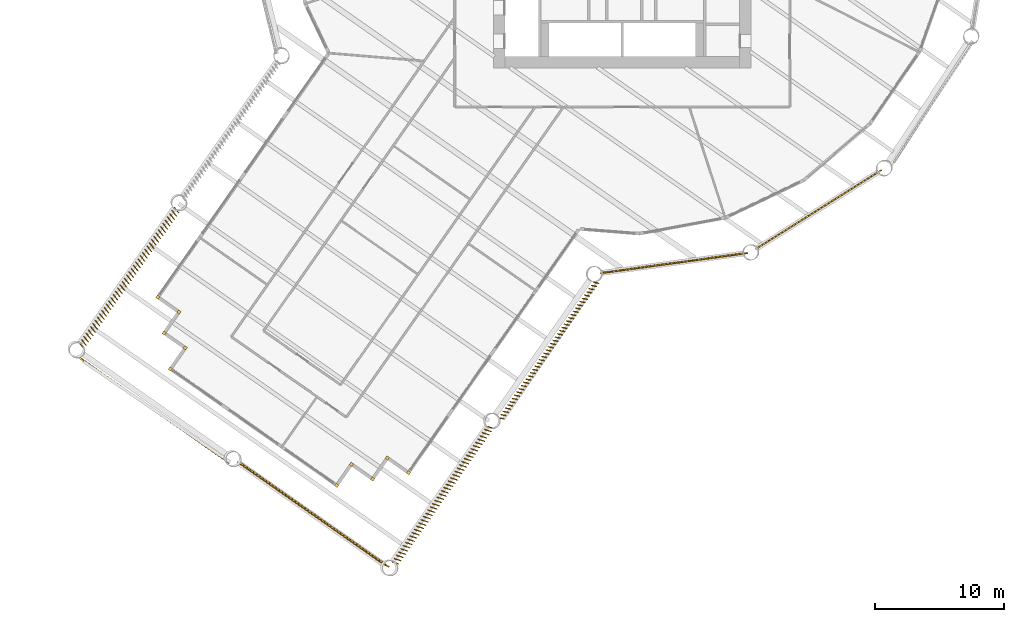
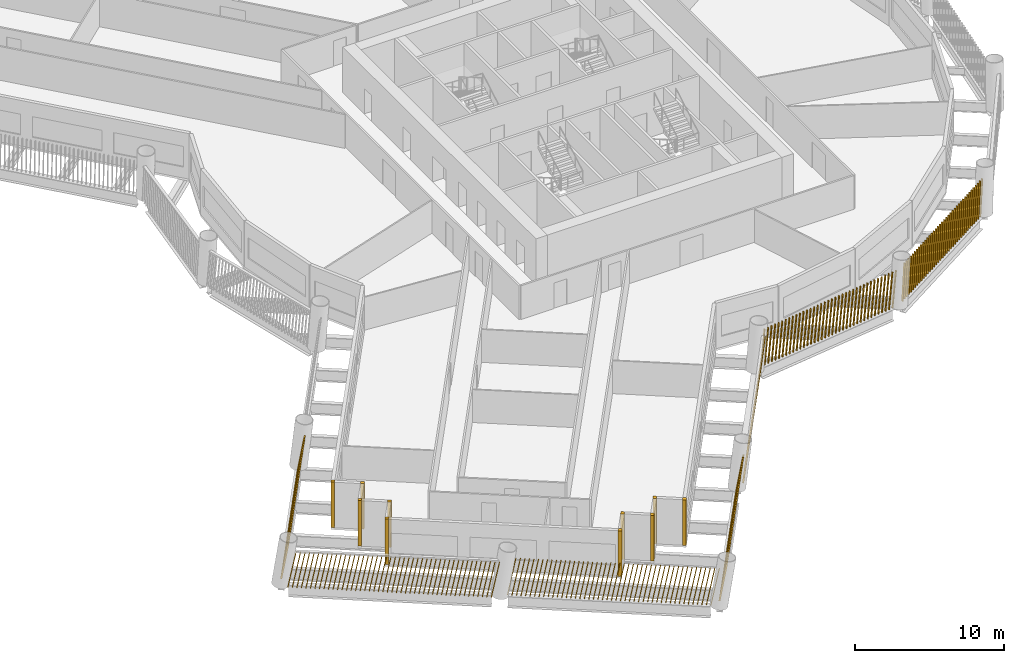
# One storey, part 11 of 15: 17 shading devices.
"""IFC4 building model written with IfcOpenShell, lengths in metres."""

from ifc_helpers import new_model, si_unit, direction, frame, frame_2d, origin, origin_2d, place, context, subcontext, project, spatial, rectangle, composite_profile, extrude, material, type_object, element, save


model = new_model("IFC4")

# Units and contexts
model_context = context("Model", 3, precision=1e-05, world=origin(), true_north=direction((0.0, 1.0)))
body_context = subcontext(model_context, "Body", "Model", "MODEL_VIEW")
ifc_project = project(units=[si_unit("LENGTHUNIT", "METRE"), si_unit("AREAUNIT", "SQUARE_METRE"), si_unit("VOLUMEUNIT", "CUBIC_METRE"), si_unit("PLANEANGLEUNIT", "RADIAN"), si_unit("MASSUNIT", "GRAM", prefix="KILO")], contexts=[model_context])

# Site, building, storey
site_placement = place(None, origin())
site = spatial("IfcSite", under=ifc_project, at=site_placement, CompositionType="ELEMENT")
building_placement = place(site_placement, origin())
building = spatial("IfcBuilding", under=site, at=building_placement, Name="Tarsis Ring Headquarters", CompositionType="ELEMENT")
storey_placement = place(building_placement, frame((0.0, 0.0, 51.699951171875)))
storey = spatial("IfcBuildingStorey", under=building, at=storey_placement, Name="L10", CompositionType="ELEMENT", Elevation=51.699951171875)

# Shading devices
ifc_material = material(Name="Terracotta baguette", Category="masonry")
shading_device_type_1 = type_object("IfcShadingDeviceType", Name="Terracotta baguette screen", PredefinedType="USERDEFINED", material=ifc_material)
shading_device_1_placement = place(storey_placement, frame((-34.72119140625, -23.783935546875, 0.0), z_axis=(0.0, 0.0, 1.0), x_axis=(-0.573580335686, -0.819157189623, 0.0)))
element("IfcShadingDevice", 1, at=shading_device_1_placement, inside=storey, type_object=shading_device_type_1, Name="Baguette screen L10-02", ObjectType="Terracotta baguette screen", PredefinedType="USERDEFINED", context=body_context, shape_type="SweptSolid", body=[
    extrude(composite_profile([rectangle(XDim=0.06005859375, YDim=0.1201171875, at=frame_2d((0.030029296875, 0.0))), rectangle(XDim=0.06005859375, YDim=0.1201171875, at=frame_2d((0.335693359375, 0.0))), rectangle(XDim=0.06005859375, YDim=0.1201171875, at=frame_2d((0.6416015625, 0.0))), rectangle(XDim=0.06005859375, YDim=0.1201171875, at=frame_2d((0.947265625, 0.0))), rectangle(XDim=0.06005859375, YDim=0.1201171875, at=frame_2d((1.253173828125, 0.0))), rectangle(XDim=0.06005859375, YDim=0.1201171875, at=frame_2d((1.558837890625, 0.0))), rectangle(XDim=0.06005859375, YDim=0.1201171875, at=frame_2d((1.864501953125, 0.0))), rectangle(XDim=0.06005859375, YDim=0.1201171875, at=frame_2d((2.17041015625, 0.0))), rectangle(XDim=0.06005859375, YDim=0.1201171875, at=frame_2d((2.47607421875, 0.0))), rectangle(XDim=0.06005859375, YDim=0.1201171875, at=frame_2d((2.781982421875, 0.0))), rectangle(XDim=0.06005859375, YDim=0.1201171875, at=frame_2d((3.087646484375, 0.0))), rectangle(XDim=0.06005859375, YDim=0.1201171875, at=frame_2d((3.393310546875, 0.0))), rectangle(XDim=0.06005859375, YDim=0.1201171875, at=frame_2d((3.69921875, 0.0))), rectangle(XDim=0.06005859375, YDim=0.1201171875, at=frame_2d((4.0048828125, 0.0))), rectangle(XDim=0.06005859375, YDim=0.1201171875, at=frame_2d((4.310791015625, 0.0))), rectangle(XDim=0.06005859375, YDim=0.1201171875, at=frame_2d((4.616455078125, 0.0))), rectangle(XDim=0.06005859375, YDim=0.1201171875, at=frame_2d((4.922119140625, 0.0))), rectangle(XDim=0.06005859375, YDim=0.1201171875, at=frame_2d((5.22802734375, 0.0))), rectangle(XDim=0.06005859375, YDim=0.1201171875, at=frame_2d((5.53369140625, 0.0))), rectangle(XDim=0.06005859375, YDim=0.1201171875, at=frame_2d((5.839599609375, 0.0))), rectangle(XDim=0.06005859375, YDim=0.1201171875, at=frame_2d((6.145263671875, 0.0))), rectangle(XDim=0.06005859375, YDim=0.1201171875, at=frame_2d((6.451171875, 0.0))), rectangle(XDim=0.06005859375, YDim=0.1201171875, at=frame_2d((6.7568359375, 0.0))), rectangle(XDim=0.06005859375, YDim=0.1201171875, at=frame_2d((7.0625, 0.0))), rectangle(XDim=0.06005859375, YDim=0.1201171875, at=frame_2d((7.368408203125, 0.0))), rectangle(XDim=0.06005859375, YDim=0.1201171875, at=frame_2d((7.674072265625, 0.0))), rectangle(XDim=0.06005859375, YDim=0.1201171875, at=frame_2d((7.97998046875, 0.0))), rectangle(XDim=0.06005859375, YDim=0.1201171875, at=frame_2d((8.28564453125, 0.0))), rectangle(XDim=0.06005859375, YDim=0.1201171875, at=frame_2d((8.59130859375, 0.0))), rectangle(XDim=0.06005859375, YDim=0.1201171875, at=frame_2d((8.897216796875, 0.0))), rectangle(XDim=0.06005859375, YDim=0.1201171875, at=frame_2d((9.202880859375, 0.0))), rectangle(XDim=0.06005859375, YDim=0.1201171875, at=frame_2d((9.5087890625, 0.0))), rectangle(XDim=0.06005859375, YDim=0.1201171875, at=frame_2d((9.814453125, 0.0))), rectangle(XDim=0.06005859375, YDim=0.1201171875, at=frame_2d((10.1201171875, 0.0))), rectangle(XDim=0.06005859375, YDim=0.1201171875, at=frame_2d((10.426025390625, 0.0))), rectangle(XDim=0.06005859375, YDim=0.1201171875, at=frame_2d((10.731689453125, 0.0))), rectangle(XDim=0.06005859375, YDim=0.1201171875, at=frame_2d((11.03759765625, 0.0))), rectangle(XDim=0.06005859375, YDim=0.1201171875, at=frame_2d((11.34326171875, 0.0))), rectangle(XDim=0.06005859375, YDim=0.1201171875, at=frame_2d((11.64892578125, 0.0))), rectangle(XDim=0.06005859375, YDim=0.1201171875, at=frame_2d((11.954833984375, 0.0))), rectangle(XDim=0.06005859375, YDim=0.1201171875, at=frame_2d((12.260498046875, 0.0))), rectangle(XDim=0.06005859375, YDim=0.1201171875, at=frame_2d((12.56640625, 0.0))), rectangle(XDim=0.06005859375, YDim=0.1201171875, at=frame_2d((12.8720703125, 0.0)))]), origin(), (0.0509005378, 0.160555716495, 0.98571344576), 2.995361328125),
])
shading_device_2_placement = place(storey_placement, frame((-42.2138671875, -35.356201171875, 0.0), z_axis=(0.0, 0.0, 1.0), x_axis=(0.819145172133, -0.573576761136, 0.0)))
element("IfcShadingDevice", 2, at=shading_device_2_placement, inside=storey, type_object=shading_device_type_1, Name="Baguette screen L10-03", ObjectType="Terracotta baguette screen", PredefinedType="USERDEFINED", context=body_context, shape_type="SweptSolid", body=[
    extrude(composite_profile([rectangle(XDim=0.06005859375, YDim=0.1201171875, at=frame_2d((0.030029296875, 0.0))), rectangle(XDim=0.06005859375, YDim=0.1201171875, at=frame_2d((0.33544921875, 0.0))), rectangle(XDim=0.06005859375, YDim=0.1201171875, at=frame_2d((0.640625, 0.0))), rectangle(XDim=0.06005859375, YDim=0.1201171875, at=frame_2d((0.946044921875, 0.0))), rectangle(XDim=0.06005859375, YDim=0.1201171875, at=frame_2d((1.25146484375, 0.0))), rectangle(XDim=0.06005859375, YDim=0.1201171875, at=frame_2d((1.556640625, 0.0))), rectangle(XDim=0.06005859375, YDim=0.1201171875, at=frame_2d((1.862060546875, 0.0))), rectangle(XDim=0.06005859375, YDim=0.1201171875, at=frame_2d((2.16748046875, 0.0))), rectangle(XDim=0.06005859375, YDim=0.1201171875, at=frame_2d((2.47265625, 0.0))), rectangle(XDim=0.06005859375, YDim=0.1201171875, at=frame_2d((2.778076171875, 0.0))), rectangle(XDim=0.06005859375, YDim=0.1201171875, at=frame_2d((3.08349609375, 0.0))), rectangle(XDim=0.06005859375, YDim=0.1201171875, at=frame_2d((3.388671875, 0.0))), rectangle(XDim=0.06005859375, YDim=0.1201171875, at=frame_2d((3.694091796875, 0.0))), rectangle(XDim=0.06005859375, YDim=0.1201171875, at=frame_2d((3.99951171875, 0.0))), rectangle(XDim=0.06005859375, YDim=0.1201171875, at=frame_2d((4.3046875, 0.0))), rectangle(XDim=0.06005859375, YDim=0.1201171875, at=frame_2d((4.610107421875, 0.0))), rectangle(XDim=0.06005859375, YDim=0.1201171875, at=frame_2d((4.91552734375, 0.0))), rectangle(XDim=0.06005859375, YDim=0.1201171875, at=frame_2d((5.220703125, 0.0))), rectangle(XDim=0.06005859375, YDim=0.1201171875, at=frame_2d((5.526123046875, 0.0))), rectangle(XDim=0.06005859375, YDim=0.1201171875, at=frame_2d((5.83154296875, 0.0))), rectangle(XDim=0.06005859375, YDim=0.1201171875, at=frame_2d((6.13671875, 0.0))), rectangle(XDim=0.06005859375, YDim=0.1201171875, at=frame_2d((6.442138671875, 0.0))), rectangle(XDim=0.06005859375, YDim=0.1201171875, at=frame_2d((6.74755859375, 0.0))), rectangle(XDim=0.06005859375, YDim=0.1201171875, at=frame_2d((7.052734375, 0.0))), rectangle(XDim=0.06005859375, YDim=0.1201171875, at=frame_2d((7.358154296875, 0.0))), rectangle(XDim=0.06005859375, YDim=0.1201171875, at=frame_2d((7.66357421875, 0.0))), rectangle(XDim=0.06005859375, YDim=0.1201171875, at=frame_2d((7.96875, 0.0))), rectangle(XDim=0.06005859375, YDim=0.1201171875, at=frame_2d((8.274169921875, 0.0))), rectangle(XDim=0.06005859375, YDim=0.1201171875, at=frame_2d((8.57958984375, 0.0))), rectangle(XDim=0.06005859375, YDim=0.1201171875, at=frame_2d((8.884765625, 0.0))), rectangle(XDim=0.06005859375, YDim=0.1201171875, at=frame_2d((9.190185546875, 0.0))), rectangle(XDim=0.06005859375, YDim=0.1201171875, at=frame_2d((9.49560546875, 0.0))), rectangle(XDim=0.06005859375, YDim=0.1201171875, at=frame_2d((9.80078125, 0.0))), rectangle(XDim=0.06005859375, YDim=0.1201171875, at=frame_2d((10.106201171875, 0.0))), rectangle(XDim=0.06005859375, YDim=0.1201171875, at=frame_2d((10.41162109375, 0.0))), rectangle(XDim=0.06005859375, YDim=0.1201171875, at=frame_2d((10.716796875, 0.0))), rectangle(XDim=0.06005859375, YDim=0.1201171875, at=frame_2d((11.022216796875, 0.0))), rectangle(XDim=0.06005859375, YDim=0.1201171875, at=frame_2d((11.32763671875, 0.0))), rectangle(XDim=0.06005859375, YDim=0.1201171875, at=frame_2d((11.6328125, 0.0))), rectangle(XDim=0.06005859375, YDim=0.1201171875, at=frame_2d((11.938232421875, 0.0))), rectangle(XDim=0.06005859375, YDim=0.1201171875, at=frame_2d((12.24365234375, 0.0))), rectangle(XDim=0.06005859375, YDim=0.1201171875, at=frame_2d((12.548828125, 0.0))), rectangle(XDim=0.06005859375, YDim=0.1201171875, at=frame_2d((12.854248046875, 0.0))), rectangle(XDim=0.06005859375, YDim=0.1201171875, at=frame_2d((13.15966796875, 0.0))), rectangle(XDim=0.06005859375, YDim=0.1201171875, at=frame_2d((13.46484375, 0.0))), rectangle(XDim=0.06005859375, YDim=0.1201171875, at=frame_2d((13.770263671875, 0.0)))]), origin(), (0.185395423633, -0.024810532411, 0.982350738981), 3.005615234375),
])
shading_device_3_placement = place(storey_placement, frame((-29.875244140625, -43.5380859375, 0.0), z_axis=(0.0, 0.0, 1.0), x_axis=(0.819156464511, -0.573579364518, 0.0)))
element("IfcShadingDevice", 3, at=shading_device_3_placement, inside=storey, type_object=shading_device_type_1, Name="Baguette screen L10-04", ObjectType="Terracotta baguette screen", PredefinedType="USERDEFINED", context=body_context, shape_type="SweptSolid", body=[
    extrude(composite_profile([rectangle(XDim=0.06005859375, YDim=0.1201171875, at=frame_2d((0.030029296875, 0.0))), rectangle(XDim=0.06005859375, YDim=0.1201171875, at=frame_2d((0.33544921875, 0.0))), rectangle(XDim=0.06005859375, YDim=0.1201171875, at=frame_2d((0.640625, 0.0))), rectangle(XDim=0.06005859375, YDim=0.1201171875, at=frame_2d((0.946044921875, 0.0))), rectangle(XDim=0.06005859375, YDim=0.1201171875, at=frame_2d((1.25146484375, 0.0))), rectangle(XDim=0.06005859375, YDim=0.1201171875, at=frame_2d((1.556640625, 0.0))), rectangle(XDim=0.06005859375, YDim=0.1201171875, at=frame_2d((1.862060546875, 0.0))), rectangle(XDim=0.06005859375, YDim=0.1201171875, at=frame_2d((2.16748046875, 0.0))), rectangle(XDim=0.06005859375, YDim=0.1201171875, at=frame_2d((2.47265625, 0.0))), rectangle(XDim=0.06005859375, YDim=0.1201171875, at=frame_2d((2.778076171875, 0.0))), rectangle(XDim=0.06005859375, YDim=0.1201171875, at=frame_2d((3.08349609375, 0.0))), rectangle(XDim=0.06005859375, YDim=0.1201171875, at=frame_2d((3.388671875, 0.0))), rectangle(XDim=0.06005859375, YDim=0.1201171875, at=frame_2d((3.694091796875, 0.0))), rectangle(XDim=0.06005859375, YDim=0.1201171875, at=frame_2d((3.99951171875, 0.0))), rectangle(XDim=0.06005859375, YDim=0.1201171875, at=frame_2d((4.3046875, 0.0))), rectangle(XDim=0.06005859375, YDim=0.1201171875, at=frame_2d((4.610107421875, 0.0))), rectangle(XDim=0.06005859375, YDim=0.1201171875, at=frame_2d((4.91552734375, 0.0))), rectangle(XDim=0.06005859375, YDim=0.1201171875, at=frame_2d((5.220703125, 0.0))), rectangle(XDim=0.06005859375, YDim=0.1201171875, at=frame_2d((5.526123046875, 0.0))), rectangle(XDim=0.06005859375, YDim=0.1201171875, at=frame_2d((5.83154296875, 0.0))), rectangle(XDim=0.06005859375, YDim=0.1201171875, at=frame_2d((6.13671875, 0.0))), rectangle(XDim=0.06005859375, YDim=0.1201171875, at=frame_2d((6.442138671875, 0.0))), rectangle(XDim=0.06005859375, YDim=0.1201171875, at=frame_2d((6.74755859375, 0.0))), rectangle(XDim=0.06005859375, YDim=0.1201171875, at=frame_2d((7.052734375, 0.0))), rectangle(XDim=0.06005859375, YDim=0.1201171875, at=frame_2d((7.358154296875, 0.0))), rectangle(XDim=0.06005859375, YDim=0.1201171875, at=frame_2d((7.66357421875, 0.0))), rectangle(XDim=0.06005859375, YDim=0.1201171875, at=frame_2d((7.96875, 0.0))), rectangle(XDim=0.06005859375, YDim=0.1201171875, at=frame_2d((8.274169921875, 0.0))), rectangle(XDim=0.06005859375, YDim=0.1201171875, at=frame_2d((8.57958984375, 0.0))), rectangle(XDim=0.06005859375, YDim=0.1201171875, at=frame_2d((8.884765625, 0.0))), rectangle(XDim=0.06005859375, YDim=0.1201171875, at=frame_2d((9.190185546875, 0.0))), rectangle(XDim=0.06005859375, YDim=0.1201171875, at=frame_2d((9.49560546875, 0.0))), rectangle(XDim=0.06005859375, YDim=0.1201171875, at=frame_2d((9.80078125, 0.0))), rectangle(XDim=0.06005859375, YDim=0.1201171875, at=frame_2d((10.106201171875, 0.0))), rectangle(XDim=0.06005859375, YDim=0.1201171875, at=frame_2d((10.41162109375, 0.0))), rectangle(XDim=0.06005859375, YDim=0.1201171875, at=frame_2d((10.716796875, 0.0))), rectangle(XDim=0.06005859375, YDim=0.1201171875, at=frame_2d((11.022216796875, 0.0))), rectangle(XDim=0.06005859375, YDim=0.1201171875, at=frame_2d((11.32763671875, 0.0))), rectangle(XDim=0.06005859375, YDim=0.1201171875, at=frame_2d((11.6328125, 0.0))), rectangle(XDim=0.06005859375, YDim=0.1201171875, at=frame_2d((11.938232421875, 0.0))), rectangle(XDim=0.06005859375, YDim=0.1201171875, at=frame_2d((12.24365234375, 0.0))), rectangle(XDim=0.06005859375, YDim=0.1201171875, at=frame_2d((12.548828125, 0.0))), rectangle(XDim=0.06005859375, YDim=0.1201171875, at=frame_2d((12.854248046875, 0.0))), rectangle(XDim=0.06005859375, YDim=0.1201171875, at=frame_2d((13.15966796875, 0.0))), rectangle(XDim=0.06005859375, YDim=0.1201171875, at=frame_2d((13.46484375, 0.0))), rectangle(XDim=0.06005859375, YDim=0.1201171875, at=frame_2d((13.770263671875, 0.0)))]), origin(), (0.183865139725, 0.026751325418, 0.98258738898), 3.0048828125),
])
shading_device_4_placement = place(storey_placement, frame((-17.87451171875, -51.33056640625, 0.0), z_axis=(0.0, 0.0, 1.0), x_axis=(0.573580335686, 0.819157189623, 0.0)))
element("IfcShadingDevice", 4, at=shading_device_4_placement, inside=storey, type_object=shading_device_type_1, Name="Baguette screen L10-05", ObjectType="Terracotta baguette screen", PredefinedType="USERDEFINED", context=body_context, shape_type="SweptSolid", body=[
    extrude(composite_profile([rectangle(XDim=0.06005859375, YDim=0.1201171875, at=frame_2d((0.030029296875, 0.0))), rectangle(XDim=0.06005859375, YDim=0.1201171875, at=frame_2d((0.335693359375, 0.0))), rectangle(XDim=0.06005859375, YDim=0.1201171875, at=frame_2d((0.6416015625, 0.0))), rectangle(XDim=0.06005859375, YDim=0.1201171875, at=frame_2d((0.947265625, 0.0))), rectangle(XDim=0.06005859375, YDim=0.1201171875, at=frame_2d((1.253173828125, 0.0))), rectangle(XDim=0.06005859375, YDim=0.1201171875, at=frame_2d((1.558837890625, 0.0))), rectangle(XDim=0.06005859375, YDim=0.1201171875, at=frame_2d((1.864501953125, 0.0))), rectangle(XDim=0.06005859375, YDim=0.1201171875, at=frame_2d((2.17041015625, 0.0))), rectangle(XDim=0.06005859375, YDim=0.1201171875, at=frame_2d((2.47607421875, 0.0))), rectangle(XDim=0.06005859375, YDim=0.1201171875, at=frame_2d((2.781982421875, 0.0))), rectangle(XDim=0.06005859375, YDim=0.1201171875, at=frame_2d((3.087646484375, 0.0))), rectangle(XDim=0.06005859375, YDim=0.1201171875, at=frame_2d((3.393310546875, 0.0))), rectangle(XDim=0.06005859375, YDim=0.1201171875, at=frame_2d((3.69921875, 0.0))), rectangle(XDim=0.06005859375, YDim=0.1201171875, at=frame_2d((4.0048828125, 0.0))), rectangle(XDim=0.06005859375, YDim=0.1201171875, at=frame_2d((4.310791015625, 0.0))), rectangle(XDim=0.06005859375, YDim=0.1201171875, at=frame_2d((4.616455078125, 0.0))), rectangle(XDim=0.06005859375, YDim=0.1201171875, at=frame_2d((4.922119140625, 0.0))), rectangle(XDim=0.06005859375, YDim=0.1201171875, at=frame_2d((5.22802734375, 0.0))), rectangle(XDim=0.06005859375, YDim=0.1201171875, at=frame_2d((5.53369140625, 0.0))), rectangle(XDim=0.06005859375, YDim=0.1201171875, at=frame_2d((5.839599609375, 0.0))), rectangle(XDim=0.06005859375, YDim=0.1201171875, at=frame_2d((6.145263671875, 0.0))), rectangle(XDim=0.06005859375, YDim=0.1201171875, at=frame_2d((6.451171875, 0.0))), rectangle(XDim=0.06005859375, YDim=0.1201171875, at=frame_2d((6.7568359375, 0.0))), rectangle(XDim=0.06005859375, YDim=0.1201171875, at=frame_2d((7.0625, 0.0))), rectangle(XDim=0.06005859375, YDim=0.1201171875, at=frame_2d((7.368408203125, 0.0))), rectangle(XDim=0.06005859375, YDim=0.1201171875, at=frame_2d((7.674072265625, 0.0))), rectangle(XDim=0.06005859375, YDim=0.1201171875, at=frame_2d((7.97998046875, 0.0))), rectangle(XDim=0.06005859375, YDim=0.1201171875, at=frame_2d((8.28564453125, 0.0))), rectangle(XDim=0.06005859375, YDim=0.1201171875, at=frame_2d((8.59130859375, 0.0))), rectangle(XDim=0.06005859375, YDim=0.1201171875, at=frame_2d((8.897216796875, 0.0))), rectangle(XDim=0.06005859375, YDim=0.1201171875, at=frame_2d((9.202880859375, 0.0))), rectangle(XDim=0.06005859375, YDim=0.1201171875, at=frame_2d((9.5087890625, 0.0))), rectangle(XDim=0.06005859375, YDim=0.1201171875, at=frame_2d((9.814453125, 0.0))), rectangle(XDim=0.06005859375, YDim=0.1201171875, at=frame_2d((10.1201171875, 0.0))), rectangle(XDim=0.06005859375, YDim=0.1201171875, at=frame_2d((10.426025390625, 0.0))), rectangle(XDim=0.06005859375, YDim=0.1201171875, at=frame_2d((10.731689453125, 0.0))), rectangle(XDim=0.06005859375, YDim=0.1201171875, at=frame_2d((11.03759765625, 0.0))), rectangle(XDim=0.06005859375, YDim=0.1201171875, at=frame_2d((11.34326171875, 0.0))), rectangle(XDim=0.06005859375, YDim=0.1201171875, at=frame_2d((11.64892578125, 0.0))), rectangle(XDim=0.06005859375, YDim=0.1201171875, at=frame_2d((11.954833984375, 0.0))), rectangle(XDim=0.06005859375, YDim=0.1201171875, at=frame_2d((12.260498046875, 0.0))), rectangle(XDim=0.06005859375, YDim=0.1201171875, at=frame_2d((12.56640625, 0.0))), rectangle(XDim=0.06005859375, YDim=0.1201171875, at=frame_2d((12.8720703125, 0.0)))]), origin(), (0.052579450091, -0.160014160758, 0.985713381153), 2.995361328125),
])
shading_device_5_placement = place(storey_placement, frame((-9.593505859375, -40.15771484375, 0.0), z_axis=(0.0, 0.0, 1.0), x_axis=(0.573569482289, 0.819160611565, 0.0)))
element("IfcShadingDevice", 5, at=shading_device_5_placement, inside=storey, type_object=shading_device_type_1, Name="Baguette screen L10-06", ObjectType="Terracotta baguette screen", PredefinedType="USERDEFINED", context=body_context, shape_type="SweptSolid", body=[
    extrude(composite_profile([rectangle(XDim=0.06005859375, YDim=0.1201171875, at=frame_2d((0.030029296875, 0.0))), rectangle(XDim=0.06005859375, YDim=0.1201171875, at=frame_2d((0.335693359375, 0.0))), rectangle(XDim=0.06005859375, YDim=0.1201171875, at=frame_2d((0.6416015625, 0.0))), rectangle(XDim=0.06005859375, YDim=0.1201171875, at=frame_2d((0.947265625, 0.0))), rectangle(XDim=0.06005859375, YDim=0.1201171875, at=frame_2d((1.253173828125, 0.0))), rectangle(XDim=0.06005859375, YDim=0.1201171875, at=frame_2d((1.558837890625, 0.0))), rectangle(XDim=0.06005859375, YDim=0.1201171875, at=frame_2d((1.864501953125, 0.0))), rectangle(XDim=0.06005859375, YDim=0.1201171875, at=frame_2d((2.17041015625, 0.0))), rectangle(XDim=0.06005859375, YDim=0.1201171875, at=frame_2d((2.47607421875, 0.0))), rectangle(XDim=0.06005859375, YDim=0.1201171875, at=frame_2d((2.781982421875, 0.0))), rectangle(XDim=0.06005859375, YDim=0.1201171875, at=frame_2d((3.087646484375, 0.0))), rectangle(XDim=0.06005859375, YDim=0.1201171875, at=frame_2d((3.393310546875, 0.0))), rectangle(XDim=0.06005859375, YDim=0.1201171875, at=frame_2d((3.69921875, 0.0))), rectangle(XDim=0.06005859375, YDim=0.1201171875, at=frame_2d((4.0048828125, 0.0))), rectangle(XDim=0.06005859375, YDim=0.1201171875, at=frame_2d((4.310791015625, 0.0))), rectangle(XDim=0.06005859375, YDim=0.1201171875, at=frame_2d((4.616455078125, 0.0))), rectangle(XDim=0.06005859375, YDim=0.1201171875, at=frame_2d((4.922119140625, 0.0))), rectangle(XDim=0.06005859375, YDim=0.1201171875, at=frame_2d((5.22802734375, 0.0))), rectangle(XDim=0.06005859375, YDim=0.1201171875, at=frame_2d((5.53369140625, 0.0))), rectangle(XDim=0.06005859375, YDim=0.1201171875, at=frame_2d((5.839599609375, 0.0))), rectangle(XDim=0.06005859375, YDim=0.1201171875, at=frame_2d((6.145263671875, 0.0))), rectangle(XDim=0.06005859375, YDim=0.1201171875, at=frame_2d((6.451171875, 0.0))), rectangle(XDim=0.06005859375, YDim=0.1201171875, at=frame_2d((6.7568359375, 0.0))), rectangle(XDim=0.06005859375, YDim=0.1201171875, at=frame_2d((7.0625, 0.0))), rectangle(XDim=0.06005859375, YDim=0.1201171875, at=frame_2d((7.368408203125, 0.0))), rectangle(XDim=0.06005859375, YDim=0.1201171875, at=frame_2d((7.674072265625, 0.0))), rectangle(XDim=0.06005859375, YDim=0.1201171875, at=frame_2d((7.97998046875, 0.0))), rectangle(XDim=0.06005859375, YDim=0.1201171875, at=frame_2d((8.28564453125, 0.0))), rectangle(XDim=0.06005859375, YDim=0.1201171875, at=frame_2d((8.59130859375, 0.0))), rectangle(XDim=0.06005859375, YDim=0.1201171875, at=frame_2d((8.897216796875, 0.0))), rectangle(XDim=0.06005859375, YDim=0.1201171875, at=frame_2d((9.202880859375, 0.0))), rectangle(XDim=0.06005859375, YDim=0.1201171875, at=frame_2d((9.5087890625, 0.0))), rectangle(XDim=0.06005859375, YDim=0.1201171875, at=frame_2d((9.814453125, 0.0))), rectangle(XDim=0.06005859375, YDim=0.1201171875, at=frame_2d((10.1201171875, 0.0))), rectangle(XDim=0.06005859375, YDim=0.1201171875, at=frame_2d((10.426025390625, 0.0))), rectangle(XDim=0.06005859375, YDim=0.1201171875, at=frame_2d((10.731689453125, 0.0))), rectangle(XDim=0.06005859375, YDim=0.1201171875, at=frame_2d((11.03759765625, 0.0))), rectangle(XDim=0.06005859375, YDim=0.1201171875, at=frame_2d((11.34326171875, 0.0))), rectangle(XDim=0.06005859375, YDim=0.1201171875, at=frame_2d((11.64892578125, 0.0))), rectangle(XDim=0.06005859375, YDim=0.1201171875, at=frame_2d((11.954833984375, 0.0))), rectangle(XDim=0.06005859375, YDim=0.1201171875, at=frame_2d((12.260498046875, 0.0))), rectangle(XDim=0.06005859375, YDim=0.1201171875, at=frame_2d((12.56640625, 0.0))), rectangle(XDim=0.06005859375, YDim=0.1201171875, at=frame_2d((12.8720703125, 0.0)))]), origin(), (0.053988579594, -0.112141681378, 0.992224509157), 2.975830078125),
])
shading_device_6_placement = place(storey_placement, frame((-1.718017578125, -28.896240234375, 0.0), z_axis=(0.0, 0.0, 1.0), x_axis=(0.9907542051, 0.135735214324, 0.0)))
element("IfcShadingDevice", 6, at=shading_device_6_placement, inside=storey, type_object=shading_device_type_1, Name="Baguette screen L10-07", ObjectType="Terracotta baguette screen", PredefinedType="USERDEFINED", context=body_context, shape_type="SweptSolid", body=[
    extrude(composite_profile([rectangle(XDim=0.06005859375, YDim=0.1201171875, at=frame_2d((0.030029296875, 0.0))), rectangle(XDim=0.06005859375, YDim=0.1201171875, at=frame_2d((0.33251953125, 0.0))), rectangle(XDim=0.06005859375, YDim=0.1201171875, at=frame_2d((0.634765625, 0.0))), rectangle(XDim=0.06005859375, YDim=0.1201171875, at=frame_2d((0.937255859375, 0.0))), rectangle(XDim=0.06005859375, YDim=0.1201171875, at=frame_2d((1.239501953125, 0.0))), rectangle(XDim=0.06005859375, YDim=0.1201171875, at=frame_2d((1.5419921875, 0.0))), rectangle(XDim=0.06005859375, YDim=0.1201171875, at=frame_2d((1.844482421875, 0.0))), rectangle(XDim=0.06005859375, YDim=0.1201171875, at=frame_2d((2.146728515625, 0.0))), rectangle(XDim=0.06005859375, YDim=0.1201171875, at=frame_2d((2.44921875, 0.0))), rectangle(XDim=0.06005859375, YDim=0.1201171875, at=frame_2d((2.751708984375, 0.0))), rectangle(XDim=0.06005859375, YDim=0.1201171875, at=frame_2d((3.053955078125, 0.0))), rectangle(XDim=0.06005859375, YDim=0.1201171875, at=frame_2d((3.3564453125, 0.0))), rectangle(XDim=0.06005859375, YDim=0.1201171875, at=frame_2d((3.65869140625, 0.0))), rectangle(XDim=0.06005859375, YDim=0.1201171875, at=frame_2d((3.961181640625, 0.0))), rectangle(XDim=0.06005859375, YDim=0.1201171875, at=frame_2d((4.263671875, 0.0))), rectangle(XDim=0.06005859375, YDim=0.1201171875, at=frame_2d((4.56591796875, 0.0))), rectangle(XDim=0.06005859375, YDim=0.1201171875, at=frame_2d((4.868408203125, 0.0))), rectangle(XDim=0.06005859375, YDim=0.1201171875, at=frame_2d((5.1708984375, 0.0))), rectangle(XDim=0.06005859375, YDim=0.1201171875, at=frame_2d((5.47314453125, 0.0))), rectangle(XDim=0.06005859375, YDim=0.1201171875, at=frame_2d((5.775634765625, 0.0))), rectangle(XDim=0.06005859375, YDim=0.1201171875, at=frame_2d((6.077880859375, 0.0))), rectangle(XDim=0.06005859375, YDim=0.1201171875, at=frame_2d((6.38037109375, 0.0))), rectangle(XDim=0.06005859375, YDim=0.1201171875, at=frame_2d((6.682861328125, 0.0))), rectangle(XDim=0.06005859375, YDim=0.1201171875, at=frame_2d((6.985107421875, 0.0))), rectangle(XDim=0.06005859375, YDim=0.1201171875, at=frame_2d((7.28759765625, 0.0))), rectangle(XDim=0.06005859375, YDim=0.1201171875, at=frame_2d((7.590087890625, 0.0))), rectangle(XDim=0.06005859375, YDim=0.1201171875, at=frame_2d((7.892333984375, 0.0))), rectangle(XDim=0.06005859375, YDim=0.1201171875, at=frame_2d((8.19482421875, 0.0))), rectangle(XDim=0.06005859375, YDim=0.1201171875, at=frame_2d((8.4970703125, 0.0))), rectangle(XDim=0.06005859375, YDim=0.1201171875, at=frame_2d((8.799560546875, 0.0))), rectangle(XDim=0.06005859375, YDim=0.1201171875, at=frame_2d((9.10205078125, 0.0))), rectangle(XDim=0.06005859375, YDim=0.1201171875, at=frame_2d((9.404296875, 0.0))), rectangle(XDim=0.06005859375, YDim=0.1201171875, at=frame_2d((9.706787109375, 0.0))), rectangle(XDim=0.06005859375, YDim=0.1201171875, at=frame_2d((10.00927734375, 0.0))), rectangle(XDim=0.06005859375, YDim=0.1201171875, at=frame_2d((10.3115234375, 0.0))), rectangle(XDim=0.06005859375, YDim=0.1201171875, at=frame_2d((10.614013671875, 0.0))), rectangle(XDim=0.06005859375, YDim=0.1201171875, at=frame_2d((10.916259765625, 0.0))), rectangle(XDim=0.06005859375, YDim=0.1201171875, at=frame_2d((11.21875, 0.0)))]), origin(), (0.100201141047, 0.000525256513, 0.994967062489), 2.967529296875),
])
shading_device_7_placement = place(storey_placement, frame((10.345458984375, -27.035400390625, 0.0), z_axis=(0.0, 0.0, 1.0), x_axis=(0.846728160608, 0.532045577862, 0.0)))
element("IfcShadingDevice", 7, at=shading_device_7_placement, inside=storey, type_object=shading_device_type_1, Name="Baguette screen L10-08", ObjectType="Terracotta baguette screen", PredefinedType="USERDEFINED", context=body_context, shape_type="SweptSolid", body=[
    extrude(composite_profile([rectangle(XDim=0.06005859375, YDim=0.1201171875, at=frame_2d((0.030029296875, 0.0))), rectangle(XDim=0.06005859375, YDim=0.1201171875, at=frame_2d((0.33251953125, 0.0))), rectangle(XDim=0.06005859375, YDim=0.1201171875, at=frame_2d((0.634765625, 0.0))), rectangle(XDim=0.06005859375, YDim=0.1201171875, at=frame_2d((0.937255859375, 0.0))), rectangle(XDim=0.06005859375, YDim=0.1201171875, at=frame_2d((1.239501953125, 0.0))), rectangle(XDim=0.06005859375, YDim=0.1201171875, at=frame_2d((1.5419921875, 0.0))), rectangle(XDim=0.06005859375, YDim=0.1201171875, at=frame_2d((1.844482421875, 0.0))), rectangle(XDim=0.06005859375, YDim=0.1201171875, at=frame_2d((2.146728515625, 0.0))), rectangle(XDim=0.06005859375, YDim=0.1201171875, at=frame_2d((2.44921875, 0.0))), rectangle(XDim=0.06005859375, YDim=0.1201171875, at=frame_2d((2.751708984375, 0.0))), rectangle(XDim=0.06005859375, YDim=0.1201171875, at=frame_2d((3.053955078125, 0.0))), rectangle(XDim=0.06005859375, YDim=0.1201171875, at=frame_2d((3.3564453125, 0.0))), rectangle(XDim=0.06005859375, YDim=0.1201171875, at=frame_2d((3.65869140625, 0.0))), rectangle(XDim=0.06005859375, YDim=0.1201171875, at=frame_2d((3.961181640625, 0.0))), rectangle(XDim=0.06005859375, YDim=0.1201171875, at=frame_2d((4.263671875, 0.0))), rectangle(XDim=0.06005859375, YDim=0.1201171875, at=frame_2d((4.56591796875, 0.0))), rectangle(XDim=0.06005859375, YDim=0.1201171875, at=frame_2d((4.868408203125, 0.0))), rectangle(XDim=0.06005859375, YDim=0.1201171875, at=frame_2d((5.1708984375, 0.0))), rectangle(XDim=0.06005859375, YDim=0.1201171875, at=frame_2d((5.47314453125, 0.0))), rectangle(XDim=0.06005859375, YDim=0.1201171875, at=frame_2d((5.775634765625, 0.0))), rectangle(XDim=0.06005859375, YDim=0.1201171875, at=frame_2d((6.077880859375, 0.0))), rectangle(XDim=0.06005859375, YDim=0.1201171875, at=frame_2d((6.38037109375, 0.0))), rectangle(XDim=0.06005859375, YDim=0.1201171875, at=frame_2d((6.682861328125, 0.0))), rectangle(XDim=0.06005859375, YDim=0.1201171875, at=frame_2d((6.985107421875, 0.0))), rectangle(XDim=0.06005859375, YDim=0.1201171875, at=frame_2d((7.28759765625, 0.0))), rectangle(XDim=0.06005859375, YDim=0.1201171875, at=frame_2d((7.590087890625, 0.0))), rectangle(XDim=0.06005859375, YDim=0.1201171875, at=frame_2d((7.892333984375, 0.0))), rectangle(XDim=0.06005859375, YDim=0.1201171875, at=frame_2d((8.19482421875, 0.0))), rectangle(XDim=0.06005859375, YDim=0.1201171875, at=frame_2d((8.4970703125, 0.0))), rectangle(XDim=0.06005859375, YDim=0.1201171875, at=frame_2d((8.799560546875, 0.0))), rectangle(XDim=0.06005859375, YDim=0.1201171875, at=frame_2d((9.10205078125, 0.0))), rectangle(XDim=0.06005859375, YDim=0.1201171875, at=frame_2d((9.404296875, 0.0))), rectangle(XDim=0.06005859375, YDim=0.1201171875, at=frame_2d((9.706787109375, 0.0))), rectangle(XDim=0.06005859375, YDim=0.1201171875, at=frame_2d((10.00927734375, 0.0))), rectangle(XDim=0.06005859375, YDim=0.1201171875, at=frame_2d((10.3115234375, 0.0))), rectangle(XDim=0.06005859375, YDim=0.1201171875, at=frame_2d((10.614013671875, 0.0))), rectangle(XDim=0.06005859375, YDim=0.1201171875, at=frame_2d((10.916259765625, 0.0))), rectangle(XDim=0.06005859375, YDim=0.1201171875, at=frame_2d((11.21875, 0.0)))]), origin(), (0.100201382953, 0.000525335414, 0.994967038086), 2.967529296875),
])
shading_device_type_2 = type_object("IfcShadingDeviceType", Name="Terracotta corner baguette 250x250", PredefinedType="USERDEFINED", material=ifc_material)
for number, where, z_axis, x_axis, name in (
    (8, (-36.040283203125, -30.767333984375, 0.0), (0.0, 0.0, 1.0), (-0.573576436351, -0.819152044289, 0.0), "Corner baguette L10-07"),
    (9, (-34.40185546875, -31.91455078125, 0.0), (0.0, 0.0, 1.0), (0.819152164419, -0.573576264788, 0.0), "Corner baguette L10-08"),
    (10, (-35.549072265625, -33.552734375, 0.0), (0.0, 0.0, 1.0), (-0.573576736586, -0.819151834062, 0.0), "Corner baguette L10-09"),
    (11, (-33.910888671875, -34.699951171875, 0.0), (0.0, 0.0, 1.0), (0.819152004246, -0.573576493539, 0.0), "Corner baguette L10-10"),
    (12, (-35.057861328125, -36.33837890625, 0.0), (0.0, 0.0, 1.0), (-0.573576264788, -0.819152164419, 0.0), "Corner baguette L10-11"),
    (13, (-22.15625, -45.3720703125, 0.0), (0.0, 0.0, 1.0), (0.8191520543, -0.573576422054, 0.0), "Corner baguette L10-12"),
    (14, (-21.009033203125, -43.73388671875, 0.0), (0.0, 0.0, 1.0), (0.573576736586, 0.819151834062, 0.0), "Corner baguette L10-13"),
    (15, (-19.370849609375, -44.880859375, 0.0), (0.0, 0.0, 1.0), (0.819152164419, -0.573576264788, 0.0), "Corner baguette L10-14"),
    (16, (-18.2236328125, -43.24267578125, 0.0), (0.0, 0.0, 1.0), (0.573576264788, 0.819152164419, 0.0), "Corner baguette L10-15"),
    (17, (-16.58544921875, -44.389892578125, 0.0), (0.0, 0.0, 1.0), (0.819151834062, -0.573576736586, 0.0), "Corner baguette L10-16"),
):
    element("IfcShadingDevice", number, at=place(storey_placement, frame(where, z_axis=z_axis, x_axis=x_axis)), inside=storey, type_object=shading_device_type_2, Name=name, ObjectType="Terracotta corner baguette", PredefinedType="USERDEFINED", context=body_context, shape_type="SweptSolid", body=[
        extrude(rectangle(XDim=0.25, YDim=0.25, at=origin_2d()), origin(), (0.0, 0.0, 1.0), 3.739990234375),
    ])

save(model, "model.ifc")
